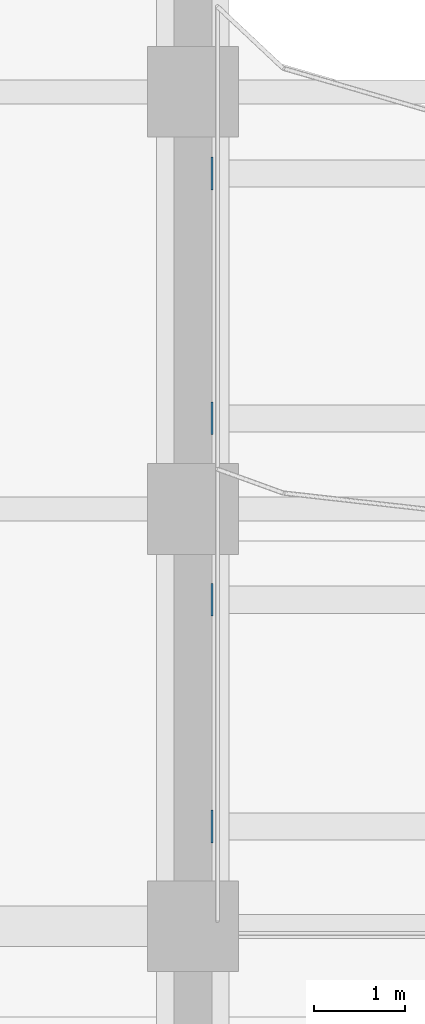
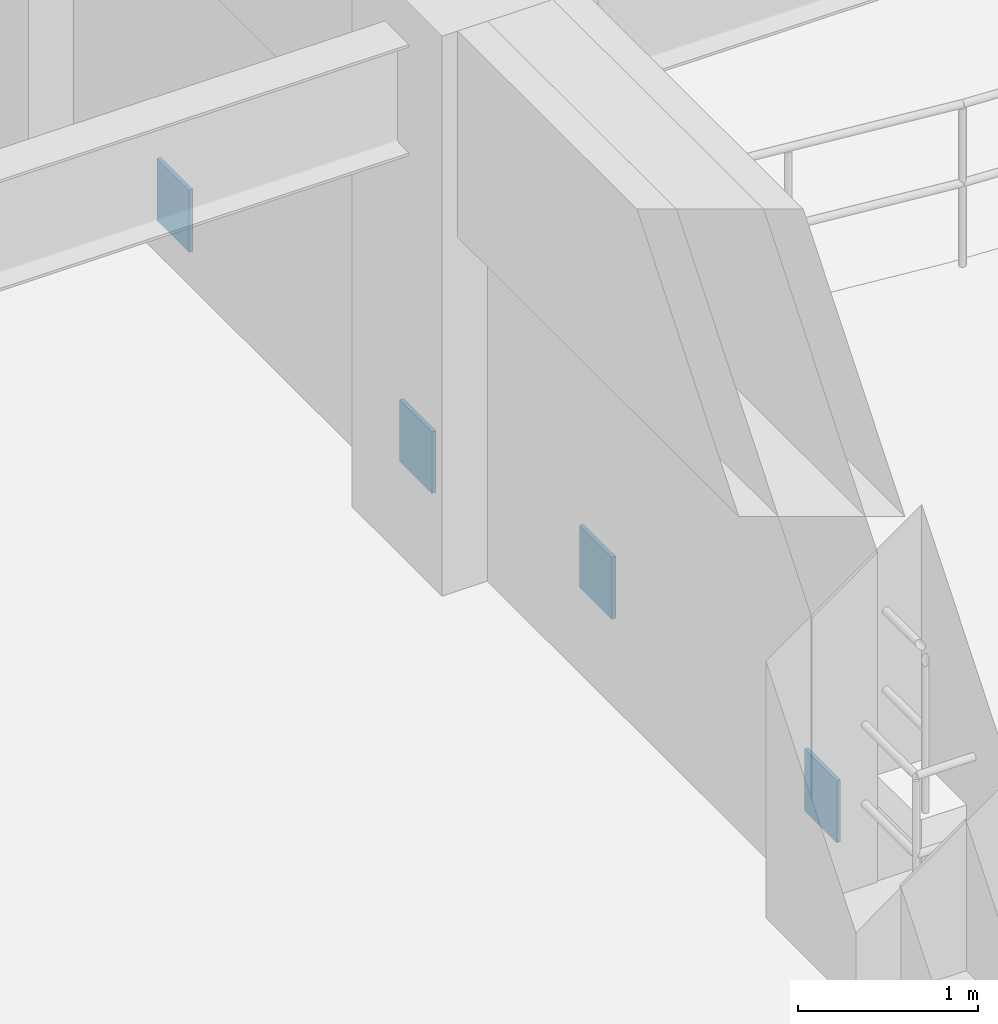
# One storey, part 51 of 74: 4 plates.
"""IFC4 building model written with IfcOpenShell, lengths in metres."""

from ifc_helpers import new_model, si_unit, direction, frame, origin, origin_2d, place, context, subcontext, project, spatial, rectangle, extrude, material, layer, layer_set, type_object, element, save


model = new_model("IFC4")

# Units and contexts
model_context = context("Model", 3, precision=1e-05, world=origin(), true_north=direction((0.0, 1.0)))
body_context = subcontext(model_context, "Body", "Model", "MODEL_VIEW")
ifc_project = project(units=[si_unit("LENGTHUNIT", "METRE"), si_unit("AREAUNIT", "SQUARE_METRE"), si_unit("VOLUMEUNIT", "CUBIC_METRE"), si_unit("PLANEANGLEUNIT", "RADIAN"), si_unit("MASSUNIT", "GRAM", prefix="KILO")], contexts=[model_context])

# Site, building, storey
site_placement = place(None, origin())
site = spatial("IfcSite", under=ifc_project, at=site_placement, CompositionType="ELEMENT")
building_placement = place(site_placement, origin())
building = spatial("IfcBuilding", under=site, at=building_placement, Name="Muzn Square Opera House", CompositionType="ELEMENT")
storey_placement = place(building_placement, frame((0.0, 0.0, 14.199951171875)))
storey = spatial("IfcBuildingStorey", under=building, at=storey_placement, Name="L03", CompositionType="ELEMENT", Elevation=14.199951171875)

# Plates
ifc_material = material(Name="Steel S355", Category="steel")
ifc_layer = layer(ifc_material, 0.02490234375, Name="Steel S355", Category="steel")
ifc_layer_set = layer_set([ifc_layer], Name="Steel S355")
plate_type = type_object("IfcPlateType", Name="Cast-In Wall Embedment Plate 25mm 360x420", PredefinedType="USERDEFINED", material=ifc_layer_set)
for number, where, z_axis, x_axis, name in (
    (1, (73.2099609375, 36.89990234375, 0.010009765625), (0.0, 0.0, 1.0), (1.0, 0.0, 0.0), "Raker Cast-In Wall Embedment Plate RAKER-L03-01-W"),
    (2, (73.2099609375, 39.39990234375, 0.010009765625), (0.0, 0.0, 1.0), (1.0, 0.0, 0.0), "Raker Cast-In Wall Embedment Plate RAKER-L03-02-W"),
    (3, (73.2099609375, 41.39990234375, -0.349853515625), (0.0, 0.0, 1.0), (1.0, 0.0, 0.0), "Raker Cast-In Wall Embedment Plate RAKER-L03-03-W"),
    (4, (73.2099609375, 44.10009765625, -0.349853515625), (0.0, 0.0, 1.0), (1.0, 0.0, 0.0), "Raker Cast-In Wall Embedment Plate RAKER-L03-04-W"),
):
    element("IfcPlate", number, at=place(storey_placement, frame(where, z_axis=z_axis, x_axis=x_axis)), inside=storey, type_object=plate_type, Name=name, ObjectType="GUSSET PLATE", PredefinedType="USERDEFINED", context=body_context, shape_type="SweptSolid", body=[
        extrude(rectangle(XDim=0.02490234375, YDim=0.360107421875, at=origin_2d()), origin(), (0.0, 0.0, 1.0), 0.419921875),
    ])

save(model, "model.ifc")
